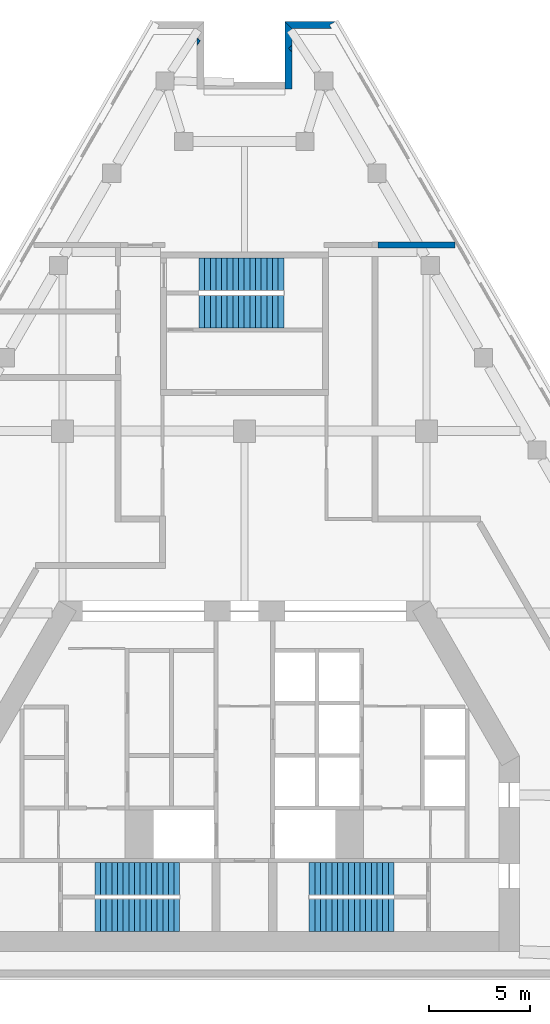
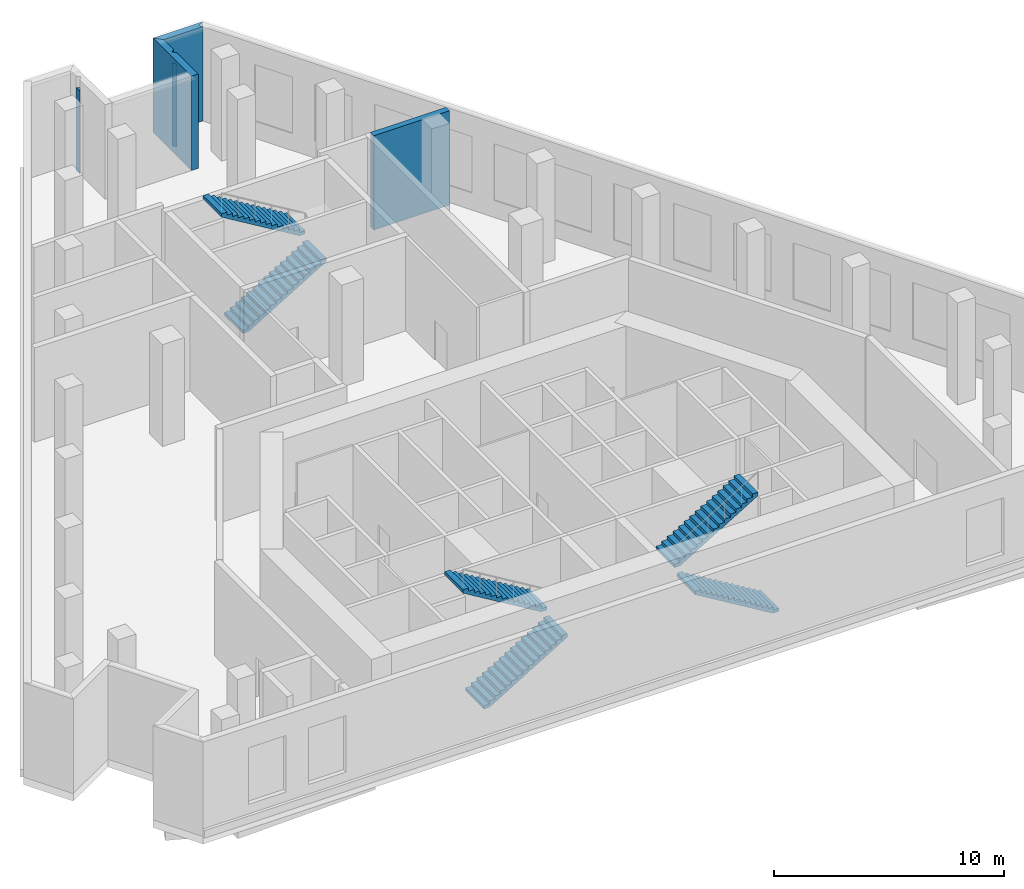
# One storey, part 6 of 7: 6 stair flights, 5 walls, 3 elements without a shape of their own.
"""IFC4 building model written with IfcOpenShell, lengths in metres."""

from ifc_helpers import new_model, si_unit, direction, frame, frame_2d, origin, place, context, subcontext, project, spatial, polyline, rectangle, outline, extrude, material, layer, layer_set, type_object, element, aggregate, save


model = new_model("IFC4")

# Units and contexts
model_context = context("Model", 3, precision=1e-05, world=origin(), true_north=direction((0.0, 1.0)))
body_context = subcontext(model_context, "Body", "Model", "MODEL_VIEW")
ifc_project = project(units=[si_unit("LENGTHUNIT", "METRE"), si_unit("AREAUNIT", "SQUARE_METRE"), si_unit("VOLUMEUNIT", "CUBIC_METRE"), si_unit("PLANEANGLEUNIT", "RADIAN"), si_unit("MASSUNIT", "GRAM", prefix="KILO")], contexts=[model_context])

# Site, building, storey
site_placement = place(None, origin())
site = spatial("IfcSite", under=ifc_project, at=site_placement, CompositionType="ELEMENT")
building_placement = place(site_placement, origin())
building = spatial("IfcBuilding", under=site, at=building_placement, Name="Fogline Exchange Tower", CompositionType="ELEMENT")
storey_placement = place(building_placement, frame((0.0, 0.0, 218.10009765625)))
storey = spatial("IfcBuildingStorey", under=building, at=storey_placement, Name="L49", CompositionType="ELEMENT", Elevation=218.10009765625)

# Walls
ifc_material_1 = material(Name="Brick masonry", Category="masonry")
ifc_layer_1 = layer(ifc_material_1, 0.340087890625)
ifc_layer_set_1 = layer_set([ifc_layer_1], Name="FW3")
wall_type_1 = type_object("IfcWallType", Name="FW3", PredefinedType="SOLIDWALL", material=ifc_layer_set_1)
wall_1_placement = place(storey_placement, origin())
element("IfcWall", 1, at=wall_1_placement, inside=storey, type_object=wall_type_1, Name="Brick wall L49 N-c1", PredefinedType="SOLIDWALL", context=body_context, shape_type="SweptSolid", body=[
    extrude(outline(polyline([(1.9990234375, 47.26220703125), (4.5009765625, 47.26220703125), (4.501220703125, 47.26171875), (4.206298828125, 47.09130859375), (4.3046875, 46.921142578125), (2.33984375, 46.921142578125), (1.998779296875, 47.261962890625), (1.9990234375, 47.26220703125)])), origin(), (0.0, 0.0, 1.0), 5.0),
])
wall_2_placement = place(storey_placement, origin())
element("IfcWall", 2, at=wall_2_placement, inside=storey, type_object=wall_type_1, Name="Brick wall L49 N-s1", PredefinedType="SOLIDWALL", context=body_context, shape_type="SweptSolid", body=[
    extrude(outline(polyline([(2.340576171875, 45.7705078125), (2.188232421875, 45.938232421875), (2.340576171875, 46.07666015625), (2.340576171875, 45.7705078125)])), origin(), (0.0, 0.0, 1.0), 4.39990234375),
])
wall_3_placement = place(storey_placement, origin())
element("IfcWall", 3, at=wall_3_placement, inside=storey, type_object=wall_type_1, Name="Brick wall L49 N-s1", PredefinedType="SOLIDWALL", context=body_context, shape_type="SweptSolid", body=[
    extrude(outline(polyline([(1.99951171875, 43.921142578125), (1.99951171875, 47.2626953125), (1.999755859375, 47.262939453125), (2.340576171875, 46.921875), (2.340576171875, 46.07666015625), (2.188232421875, 45.938232421875), (2.340576171875, 45.7705078125), (2.340576171875, 43.921142578125), (1.99951171875, 43.921142578125)])), origin(), (0.0, 0.0, 1.0), 5.0),
])
wall_4_placement = place(storey_placement, origin())
element("IfcWall", 4, at=wall_4_placement, inside=storey, type_object=wall_type_1, Name="Brick wall L49 N-s2", PredefinedType="SOLIDWALL", context=body_context, shape_type="SweptSolid", body=[
    extrude(outline(polyline([(-2.340576171875, 46.43212890625), (-2.18017578125, 46.3115234375), (-2.340576171875, 46.09814453125), (-2.340576171875, 46.43212890625)])), origin(), (0.0, 0.0, 1.0), 4.39990234375),
])
ifc_material_2 = material(Name="Concrete C40", Category="concrete")
ifc_layer_2 = layer(ifc_material_2, 0.300048828125)
ifc_layer_set_2 = layer_set([ifc_layer_2], Name="PP4")
wall_type_2 = type_object("IfcWallType", Name="PP4", PredefinedType="SOLIDWALL", material=ifc_layer_set_2)
wall_5_placement = place(storey_placement, frame((10.40380859375, 36.2060546875, 0.0), z_axis=(0.0, 0.0, 1.0), x_axis=(-1.0, 0.0, 0.0)))
element("IfcWall", 5, at=wall_5_placement, inside=storey, type_object=wall_type_2, Name="PP4 partition", PredefinedType="SOLIDWALL", context=body_context, shape_type="SweptSolid", body=[
    extrude(rectangle(XDim=3.8037109375, YDim=0.300048828125, at=frame_2d((1.90185546875, 0.0))), origin(), (0.0, 0.0, 1.0), 5.0),
])

# Stair, stair flights
stair_type = type_object("IfcStairType", Name="STR32-1688", PredefinedType="HALF_TURN_STAIR", material=ifc_material_2)
stair_1_placement = place(storey_placement, origin())
stair_1 = element("IfcStair", 6, at=stair_1_placement, inside=storey, type_object=stair_type, Name="Stair ST1", PredefinedType="HALF_TURN_STAIR")
stair_flight_type = type_object("IfcStairFlightType", Name="SF16-1688", PredefinedType="STRAIGHT", material=ifc_material_2)
stair_flight_1_placement = place(storey_placement, frame((-7.39990234375, 3.050048828125, 0.0), z_axis=(0.0, 0.0, 1.0), x_axis=(1.0, 0.0, 0.0)))
stair_flight_1 = element("IfcStairFlight", 7, at=stair_flight_1_placement, type_object=stair_flight_type, Name="ST1 flight 1", NumberOfRisers=16, NumberOfTreads=15, PredefinedType="STRAIGHT", RiserHeight=0.16875, TreadLength=0.28, context=body_context, shape_type="SweptSolid", body=[
    extrude(outline(polyline([(0.0, 0.0), (0.0, 0.168701171875), (0.280029296875, 0.168701171875), (0.280029296875, 0.33740234375), (0.56005859375, 0.33740234375), (0.56005859375, 0.50634765625), (0.840087890625, 0.50634765625), (0.840087890625, 0.675048828125), (1.1201171875, 0.675048828125), (1.1201171875, 0.84375), (1.39990234375, 0.84375), (1.39990234375, 1.012451171875), (1.679931640625, 1.012451171875), (1.679931640625, 1.18115234375), (1.9599609375, 1.18115234375), (1.9599609375, 1.35009765625), (2.239990234375, 1.35009765625), (2.239990234375, 1.518798828125), (2.52001953125, 1.518798828125), (2.52001953125, 1.6875), (2.800048828125, 1.6875), (2.800048828125, 1.856201171875), (3.080078125, 1.856201171875), (3.080078125, 2.02490234375), (3.360107421875, 2.02490234375), (3.360107421875, 2.19384765625), (3.639892578125, 2.19384765625), (3.639892578125, 2.362548828125), (3.919921875, 2.362548828125), (3.919921875, 2.53125), (4.199951171875, 2.53125), (4.199951171875, 2.699951171875), (4.199951171875, 2.356201171875), (0.29052734375, 0.0), (0.0, 0.0)])), frame((0.0, 0.800048828125, 0.0), z_axis=(0.0, -1.0, 0.0), x_axis=(1.0, 0.0, 0.0)), (0.0, 0.0, 1.0), 1.60009765625),
])
stair_flight_2_placement = place(storey_placement, frame((-3.199951171875, 4.85009765625, 2.699951171875), z_axis=(0.0, 0.0, 1.0), x_axis=(-1.0, 0.0, 0.0)))
stair_flight_2 = element("IfcStairFlight", 8, at=stair_flight_2_placement, type_object=stair_flight_type, Name="ST1 flight 2", NumberOfRisers=16, NumberOfTreads=15, PredefinedType="STRAIGHT", RiserHeight=0.16875, TreadLength=0.28, context=body_context, shape_type="SweptSolid", body=[
    extrude(outline(polyline([(0.0, 0.0), (0.0, 0.168701171875), (0.280029296875, 0.168701171875), (0.280029296875, 0.33740234375), (0.56005859375, 0.33740234375), (0.56005859375, 0.50634765625), (0.840087890625, 0.50634765625), (0.840087890625, 0.675048828125), (1.1201171875, 0.675048828125), (1.1201171875, 0.84375), (1.39990234375, 0.84375), (1.39990234375, 1.012451171875), (1.679931640625, 1.012451171875), (1.679931640625, 1.18115234375), (1.9599609375, 1.18115234375), (1.9599609375, 1.35009765625), (2.239990234375, 1.35009765625), (2.239990234375, 1.518798828125), (2.52001953125, 1.518798828125), (2.52001953125, 1.6875), (2.800048828125, 1.6875), (2.800048828125, 1.856201171875), (3.080078125, 1.856201171875), (3.080078125, 2.02490234375), (3.360107421875, 2.02490234375), (3.360107421875, 2.19384765625), (3.639892578125, 2.19384765625), (3.639892578125, 2.362548828125), (3.919921875, 2.362548828125), (3.919921875, 2.53125), (4.199951171875, 2.53125), (4.199951171875, 2.699951171875), (4.199951171875, 2.356201171875), (0.29052734375, 0.0), (0.0, 0.0)])), frame((0.0, 0.800048828125, 0.0), z_axis=(0.0, -1.0, 0.0), x_axis=(1.0, 0.0, 0.0)), (0.0, 0.0, 1.0), 1.60009765625),
])
aggregate(stair_1, [stair_flight_1, stair_flight_2])

stair_2_placement = place(storey_placement, origin())
stair_2 = element("IfcStair", 9, at=stair_2_placement, inside=storey, type_object=stair_type, Name="Stair ST2", PredefinedType="HALF_TURN_STAIR")
stair_flight_3_placement = place(storey_placement, frame((7.39990234375, 3.050048828125, 0.0), z_axis=(0.0, 0.0, 1.0), x_axis=(-1.0, 0.0, 0.0)))
stair_flight_3 = element("IfcStairFlight", 10, at=stair_flight_3_placement, type_object=stair_flight_type, Name="ST2 flight 1", NumberOfRisers=16, NumberOfTreads=15, PredefinedType="STRAIGHT", RiserHeight=0.16875, TreadLength=0.28, context=body_context, shape_type="SweptSolid", body=[
    extrude(outline(polyline([(0.0, 0.0), (0.0, 0.168701171875), (0.280029296875, 0.168701171875), (0.280029296875, 0.33740234375), (0.56005859375, 0.33740234375), (0.56005859375, 0.50634765625), (0.840087890625, 0.50634765625), (0.840087890625, 0.675048828125), (1.1201171875, 0.675048828125), (1.1201171875, 0.84375), (1.39990234375, 0.84375), (1.39990234375, 1.012451171875), (1.679931640625, 1.012451171875), (1.679931640625, 1.18115234375), (1.9599609375, 1.18115234375), (1.9599609375, 1.35009765625), (2.239990234375, 1.35009765625), (2.239990234375, 1.518798828125), (2.52001953125, 1.518798828125), (2.52001953125, 1.6875), (2.800048828125, 1.6875), (2.800048828125, 1.856201171875), (3.080078125, 1.856201171875), (3.080078125, 2.02490234375), (3.360107421875, 2.02490234375), (3.360107421875, 2.19384765625), (3.639892578125, 2.19384765625), (3.639892578125, 2.362548828125), (3.919921875, 2.362548828125), (3.919921875, 2.53125), (4.199951171875, 2.53125), (4.199951171875, 2.699951171875), (4.199951171875, 2.356201171875), (0.29052734375, 0.0), (0.0, 0.0)])), frame((0.0, 0.800048828125, 0.0), z_axis=(0.0, -1.0, 0.0), x_axis=(1.0, 0.0, 0.0)), (0.0, 0.0, 1.0), 1.60009765625),
])
stair_flight_4_placement = place(storey_placement, frame((3.199951171875, 4.85009765625, 2.699951171875), z_axis=(0.0, 0.0, 1.0), x_axis=(1.0, 0.0, 0.0)))
stair_flight_4 = element("IfcStairFlight", 11, at=stair_flight_4_placement, type_object=stair_flight_type, Name="ST2 flight 2", NumberOfRisers=16, NumberOfTreads=15, PredefinedType="STRAIGHT", RiserHeight=0.16875, TreadLength=0.28, context=body_context, shape_type="SweptSolid", body=[
    extrude(outline(polyline([(0.0, 0.0), (0.0, 0.168701171875), (0.280029296875, 0.168701171875), (0.280029296875, 0.33740234375), (0.56005859375, 0.33740234375), (0.56005859375, 0.50634765625), (0.840087890625, 0.50634765625), (0.840087890625, 0.675048828125), (1.1201171875, 0.675048828125), (1.1201171875, 0.84375), (1.39990234375, 0.84375), (1.39990234375, 1.012451171875), (1.679931640625, 1.012451171875), (1.679931640625, 1.18115234375), (1.9599609375, 1.18115234375), (1.9599609375, 1.35009765625), (2.239990234375, 1.35009765625), (2.239990234375, 1.518798828125), (2.52001953125, 1.518798828125), (2.52001953125, 1.6875), (2.800048828125, 1.6875), (2.800048828125, 1.856201171875), (3.080078125, 1.856201171875), (3.080078125, 2.02490234375), (3.360107421875, 2.02490234375), (3.360107421875, 2.19384765625), (3.639892578125, 2.19384765625), (3.639892578125, 2.362548828125), (3.919921875, 2.362548828125), (3.919921875, 2.53125), (4.199951171875, 2.53125), (4.199951171875, 2.699951171875), (4.199951171875, 2.356201171875), (0.29052734375, 0.0), (0.0, 0.0)])), frame((0.0, 0.800048828125, 0.0), z_axis=(0.0, -1.0, 0.0), x_axis=(1.0, 0.0, 0.0)), (0.0, 0.0, 1.0), 1.60009765625),
])
aggregate(stair_2, [stair_flight_3, stair_flight_4])

stair_3_placement = place(storey_placement, origin())
stair_3 = element("IfcStair", 12, at=stair_3_placement, inside=storey, type_object=stair_type, Name="Stair ST3", PredefinedType="HALF_TURN_STAIR")
stair_flight_5_placement = place(storey_placement, frame((-2.25, 32.906982421875, 0.0), z_axis=(0.0, 0.0, 1.0), x_axis=(1.0, 0.0, 0.0)))
stair_flight_5 = element("IfcStairFlight", 13, at=stair_flight_5_placement, type_object=stair_flight_type, Name="ST3 flight 1", NumberOfRisers=16, NumberOfTreads=15, PredefinedType="STRAIGHT", RiserHeight=0.16875, TreadLength=0.28, context=body_context, shape_type="SweptSolid", body=[
    extrude(outline(polyline([(0.0, 0.0), (0.0, 0.168701171875), (0.280029296875, 0.168701171875), (0.280029296875, 0.33740234375), (0.56005859375, 0.33740234375), (0.56005859375, 0.50634765625), (0.840087890625, 0.50634765625), (0.840087890625, 0.675048828125), (1.1201171875, 0.675048828125), (1.1201171875, 0.84375), (1.39990234375, 0.84375), (1.39990234375, 1.012451171875), (1.679931640625, 1.012451171875), (1.679931640625, 1.18115234375), (1.9599609375, 1.18115234375), (1.9599609375, 1.35009765625), (2.239990234375, 1.35009765625), (2.239990234375, 1.518798828125), (2.52001953125, 1.518798828125), (2.52001953125, 1.6875), (2.800048828125, 1.6875), (2.800048828125, 1.856201171875), (3.080078125, 1.856201171875), (3.080078125, 2.02490234375), (3.360107421875, 2.02490234375), (3.360107421875, 2.19384765625), (3.639892578125, 2.19384765625), (3.639892578125, 2.362548828125), (3.919921875, 2.362548828125), (3.919921875, 2.53125), (4.199951171875, 2.53125), (4.199951171875, 2.699951171875), (4.199951171875, 2.356201171875), (0.29052734375, 0.0), (0.0, 0.0)])), frame((0.0, 0.800048828125, 0.0), z_axis=(0.0, -1.0, 0.0), x_axis=(1.0, 0.0, 0.0)), (0.0, 0.0, 1.0), 1.60009765625),
])
stair_flight_6_placement = place(storey_placement, frame((1.949951171875, 34.757080078125, 2.699951171875), z_axis=(0.0, 0.0, 1.0), x_axis=(-1.0, 0.0, 0.0)))
stair_flight_6 = element("IfcStairFlight", 14, at=stair_flight_6_placement, type_object=stair_flight_type, Name="ST3 flight 2", NumberOfRisers=16, NumberOfTreads=15, PredefinedType="STRAIGHT", RiserHeight=0.16875, TreadLength=0.28, context=body_context, shape_type="SweptSolid", body=[
    extrude(outline(polyline([(0.0, 0.0), (0.0, 0.168701171875), (0.280029296875, 0.168701171875), (0.280029296875, 0.33740234375), (0.56005859375, 0.33740234375), (0.56005859375, 0.50634765625), (0.840087890625, 0.50634765625), (0.840087890625, 0.675048828125), (1.1201171875, 0.675048828125), (1.1201171875, 0.84375), (1.39990234375, 0.84375), (1.39990234375, 1.012451171875), (1.679931640625, 1.012451171875), (1.679931640625, 1.18115234375), (1.9599609375, 1.18115234375), (1.9599609375, 1.35009765625), (2.239990234375, 1.35009765625), (2.239990234375, 1.518798828125), (2.52001953125, 1.518798828125), (2.52001953125, 1.6875), (2.800048828125, 1.6875), (2.800048828125, 1.856201171875), (3.080078125, 1.856201171875), (3.080078125, 2.02490234375), (3.360107421875, 2.02490234375), (3.360107421875, 2.19384765625), (3.639892578125, 2.19384765625), (3.639892578125, 2.362548828125), (3.919921875, 2.362548828125), (3.919921875, 2.53125), (4.199951171875, 2.53125), (4.199951171875, 2.699951171875), (4.199951171875, 2.356201171875), (0.29052734375, 0.0), (0.0, 0.0)])), frame((0.0, 0.800048828125, 0.0), z_axis=(0.0, -1.0, 0.0), x_axis=(1.0, 0.0, 0.0)), (0.0, 0.0, 1.0), 1.60009765625),
])
aggregate(stair_3, [stair_flight_5, stair_flight_6])

save(model, "model.ifc")
